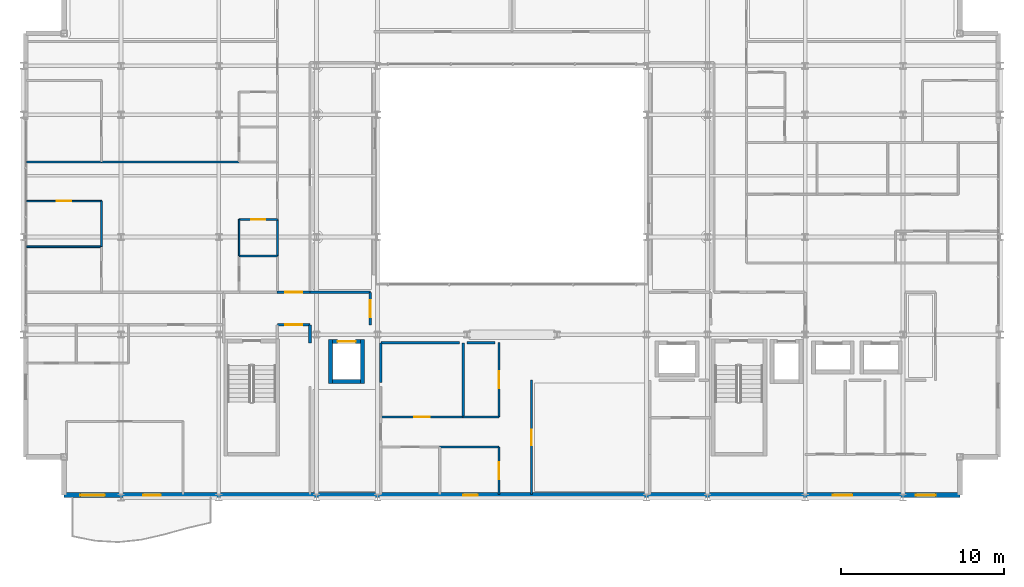
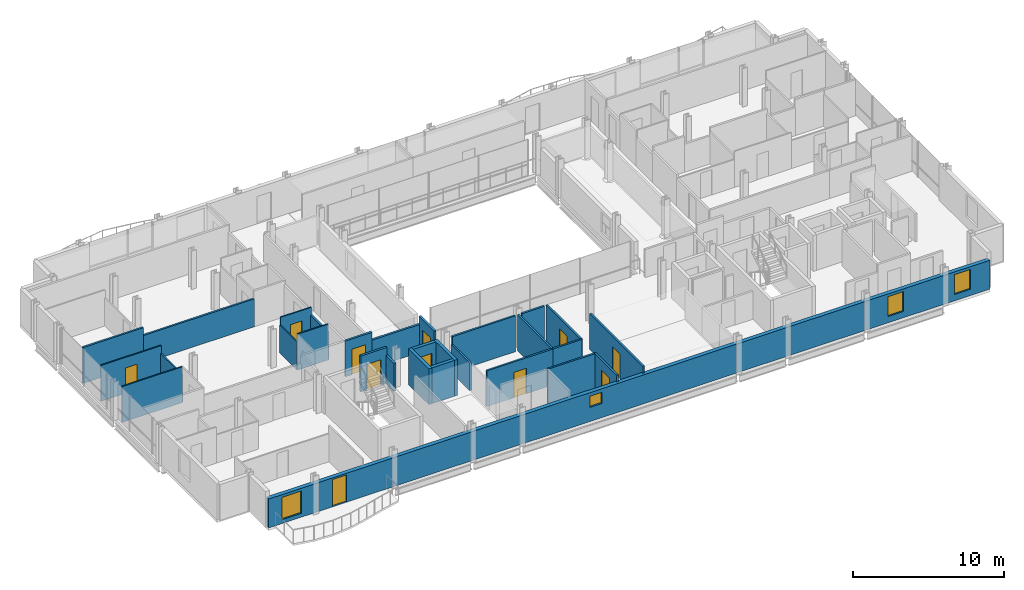
# One storey, part 34 of 41: 29 walls, 11 doors, 4 windows, 15 openings.
"""IFC4 building model written with IfcOpenShell, lengths in metres."""

from ifc_helpers import new_model, si_unit, direction, frame, frame_2d, origin, place, context, subcontext, project, spatial, rectangle, extrude, material, layer, layer_set, type_object, element, fill, save


model = new_model("IFC4")

# Units and contexts
model_context = context("Model", 3, precision=1e-05, world=origin(), true_north=direction((0.0, 1.0)))
body_context = subcontext(model_context, "Body", "Model", "MODEL_VIEW")
ifc_project = project(units=[si_unit("LENGTHUNIT", "METRE"), si_unit("AREAUNIT", "SQUARE_METRE"), si_unit("VOLUMEUNIT", "CUBIC_METRE"), si_unit("PLANEANGLEUNIT", "RADIAN"), si_unit("MASSUNIT", "GRAM", prefix="KILO")], contexts=[model_context])

# Site, building, storey
site_placement = place(None, origin())
site = spatial("IfcSite", under=ifc_project, at=site_placement, CompositionType="ELEMENT")
building_placement = place(site_placement, origin())
building = spatial("IfcBuilding", under=site, at=building_placement, Name="Brevholm Reach", CompositionType="ELEMENT")
storey_placement = place(building_placement, frame((0.0, 0.0, 169.699951171875)))
storey = spatial("IfcBuildingStorey", under=building, at=storey_placement, Name="L51", CompositionType="ELEMENT", Elevation=169.699951171875)

# Walls
ifc_material_1 = material(Name="Concrete C45/55", Category="concrete")
ifc_layer_1 = layer(ifc_material_1, 0.239990234375)
ifc_layer_set_1 = layer_set([ifc_layer_1], Name="Concrete C45/55")
wall_type_1 = type_object("IfcWallType", Name="WAL-COR-240", PredefinedType="SHEAR", material=ifc_layer_set_1)
for number, where, z_axis, x_axis, name in (
    (1, (18.8701171875, 7.0, 0.0), (0.0, 0.0, 1.0), (0.0, 1.0, 0.0), "L51 Lift FFL-1 Shaft Wall W"),
    (2, (20.830078125, 7.0, 0.0), (0.0, 0.0, 1.0), (0.0, 1.0, 0.0), "L51 Lift FFL-1 Shaft Wall E"),
):
    element("IfcWall", number, at=place(storey_placement, frame(where, z_axis=z_axis, x_axis=x_axis)), inside=storey, type_object=wall_type_1, Name=name, PredefinedType="SHEAR", context=body_context, shape_type="SweptSolid", body=[
        extrude(rectangle(XDim=2.699951171875, YDim=0.239990234375, at=frame_2d((1.35009765625, 0.0))), origin(), (0.0, 0.0, 1.0), 2.89013671875),
    ])
wall_1_placement = place(storey_placement, frame((18.989990234375, 7.1201171875, 0.0), z_axis=(0.0, 0.0, 1.0), x_axis=(1.0, 0.0, 0.0)))
element("IfcWall", 3, at=wall_1_placement, inside=storey, type_object=wall_type_1, Name="L51 Lift FFL-1 Shaft Wall S", PredefinedType="SHEAR", context=body_context, shape_type="SweptSolid", body=[
    extrude(rectangle(XDim=1.719970703125, YDim=0.239990234375, at=frame_2d((0.85986328125, 0.0))), origin(), (0.0, 0.0, 1.0), 2.89013671875),
])

# Wall, opening, door
wall_2_placement = place(storey_placement, frame((18.989990234375, 9.580078125, 0.0), z_axis=(0.0, 0.0, 1.0), x_axis=(1.0, 0.0, 0.0)))
wall_2 = element("IfcWall", 4, at=wall_2_placement, inside=storey, type_object=wall_type_1, Name="L51 Lift FFL-1 Shaft Wall N", PredefinedType="SHEAR", context=body_context, shape_type="SweptSolid", body=[
    extrude(rectangle(XDim=1.719970703125, YDim=0.239990234375, at=frame_2d((0.85986328125, 0.0))), origin(), (0.0, 0.0, 1.0), 2.89013671875),
])
opening_1_placement = place(wall_2_placement, frame((0.31005859375, 0.0, 0.0)))
opening_1 = element("IfcOpeningElement", 5, at=opening_1_placement, cuts=wall_2, Name="Opening LD-FFL-1", PredefinedType="OPENING", context=body_context, shape_type="SweptSolid", body=[
    extrude(rectangle(XDim=1.10009765625, YDim=2.06005859375, at=frame_2d((0.550048828125, 1.030029296875))), frame((0.0, 0.1298828125, 0.0), z_axis=(0.0, -1.0, 0.0), x_axis=(1.0, 0.0, 0.0)), (0.0, 0.0, 1.0), 0.260009765625),
])
ifc_material_2 = material(Name="Brushed Stainless Steel Fire-Rated Sliding Lift Door", Category="steel")
door_type_1 = type_object("IfcDoorType", Name="DOR-LFT-1100", OperationType="NOTDEFINED", PredefinedType="DOOR", material=ifc_material_2)
door_1_placement = place(opening_1_placement, origin())
door_1 = element("IfcDoor", 6, at=door_1_placement, inside=storey, type_object=door_type_1, Name="L51 Lift FFL-1 Sliding Landing Door", OperationType="SLIDING_TO_LEFT", OverallHeight=2.06005859375, OverallWidth=1.10009765625, PredefinedType="DOOR", context=body_context, shape_type="SweptSolid", body=[
    extrude(rectangle(XDim=1.10009765625, YDim=2.06005859375, at=frame_2d((0.550048828125, 1.030029296875))), frame((0.0, 0.02490234375, 0.0), z_axis=(0.0, -1.0, 0.0), x_axis=(1.0, 0.0, 0.0)), (0.0, 0.0, 1.0), 0.050048828125),
])
fill(opening_1, door_1)

# Wall, openings, door, windows
ifc_material_3 = material(Name="Concrete C40/50", Category="concrete")
ifc_layer_2 = layer(ifc_material_3, 0.300048828125)
ifc_layer_set_2 = layer_set([ifc_layer_2], Name="Concrete C40/50")
wall_type_2 = type_object("IfcWallType", Name="WAL-EXT-300", PredefinedType="STANDARD", material=ifc_layer_set_2)
wall_3_placement = place(storey_placement, frame((2.5, 0.14990234375, 0.0), z_axis=(0.0, 0.0, 1.0), x_axis=(1.0, 0.0, 0.0)))
wall_3 = element("IfcWall", 7, at=wall_3_placement, inside=storey, type_object=wall_type_2, Name="L51 Facade Wall WAL-L51-S", PredefinedType="STANDARD", context=body_context, shape_type="SweptSolid", body=[
    extrude(rectangle(XDim=55.0, YDim=0.300048828125, at=frame_2d((27.5, 0.0))), origin(), (0.0, 0.0, 1.0), 2.33203125),
])
opening_2_placement = place(wall_3_placement, frame((4.85009765625, 0.0, 0.0)))
opening_2 = element("IfcOpeningElement", 8, at=opening_2_placement, cuts=wall_3, Name="Opening BD-01", PredefinedType="OPENING", context=body_context, shape_type="SweptSolid", body=[
    extrude(rectangle(XDim=1.10009765625, YDim=2.199951171875, at=frame_2d((0.550048828125, 1.10009765625))), frame((0.0, 0.159912109375, 0.0), z_axis=(0.0, -1.0, 0.0), x_axis=(1.0, 0.0, 0.0)), (0.0, 0.0, 1.0), 0.320068359375),
])
opening_3_placement = place(wall_3_placement, frame((1.0, 0.0, 0.31201171875)))
opening_3 = element("IfcOpeningElement", 9, at=opening_3_placement, cuts=wall_3, Name="Opening WN-05", PredefinedType="OPENING", context=body_context, shape_type="SweptSolid", body=[
    extrude(rectangle(XDim=1.5, YDim=1.800048828125, at=frame_2d((0.75, 0.89990234375))), frame((0.0, 0.159912109375, 0.0), z_axis=(0.0, -1.0, 0.0), x_axis=(1.0, 0.0, 0.0)), (0.0, 0.0, 1.0), 0.320068359375),
])
opening_4_placement = place(wall_3_placement, frame((24.5, 0.0, 1.14990234375)))
opening_4 = element("IfcOpeningElement", 10, at=opening_4_placement, cuts=wall_3, Name="Opening WN-09", PredefinedType="OPENING", context=body_context, shape_type="SweptSolid", body=[
    extrude(rectangle(XDim=0.89990234375, YDim=0.89990234375, at=frame_2d((0.449951171875, 0.449951171875))), frame((0.0, 0.159912109375, 0.0), z_axis=(0.0, -1.0, 0.0), x_axis=(1.0, 0.0, 0.0)), (0.0, 0.0, 1.0), 0.320068359375),
])
opening_5_placement = place(wall_3_placement, frame((47.199951171875, 0.0, 0.511962890625)))
opening_5 = element("IfcOpeningElement", 11, at=opening_5_placement, cuts=wall_3, Name="Opening WN-08", PredefinedType="OPENING", context=body_context, shape_type="SweptSolid", body=[
    extrude(rectangle(XDim=1.199951171875, YDim=1.60009765625, at=frame_2d((0.60009765625, 0.800048828125))), frame((0.0, 0.159912109375, 0.0), z_axis=(0.0, -1.0, 0.0), x_axis=(1.0, 0.0, 0.0)), (0.0, 0.0, 1.0), 0.320068359375),
])
opening_6_placement = place(wall_3_placement, frame((52.300048828125, 0.0, 0.511962890625)))
opening_6 = element("IfcOpeningElement", 12, at=opening_6_placement, cuts=wall_3, Name="Opening WN-08", PredefinedType="OPENING", context=body_context, shape_type="SweptSolid", body=[
    extrude(rectangle(XDim=1.199951171875, YDim=1.60009765625, at=frame_2d((0.60009765625, 0.800048828125))), frame((0.0, 0.159912109375, 0.0), z_axis=(0.0, -1.0, 0.0), x_axis=(1.0, 0.0, 0.0)), (0.0, 0.0, 1.0), 0.320068359375),
])
ifc_material_4 = material(Name="Dark Anodised Aluminium and Triple-Glazed Glass", Category="aluminium")
door_type_2 = type_object("IfcDoorType", Name="DOR-BALC-1100", OperationType="NOTDEFINED", PredefinedType="DOOR", material=ifc_material_4)
door_2_placement = place(opening_2_placement, origin())
door_2 = element("IfcDoor", 13, at=door_2_placement, inside=storey, type_object=door_type_2, Name="L51 Exterior Door DOR-L51-BL-SW", OperationType="SINGLE_SWING_RIGHT", OverallHeight=2.199951171875, OverallWidth=1.10009765625, PredefinedType="DOOR", context=body_context, shape_type="SweptSolid", body=[
    extrude(rectangle(XDim=1.10009765625, YDim=2.199951171875, at=frame_2d((0.550048828125, 1.10009765625))), frame((0.0, 0.02490234375, 0.0), z_axis=(0.0, -1.0, 0.0), x_axis=(1.0, 0.0, 0.0)), (0.0, 0.0, 1.0), 0.050048828125),
])
fill(opening_2, door_2)
ifc_material_5 = material(Name="Dark Anodised Aluminium and Solar-Control IGU Glass", Category="aluminium")
window_type_1 = type_object("IfcWindowType", Name="WIN-POR-0900", PartitioningType="SINGLE_PANEL", PredefinedType="WINDOW", material=ifc_material_5)
window_1_placement = place(opening_4_placement, origin())
window_1 = element("IfcWindow", 14, at=window_1_placement, inside=storey, type_object=window_type_1, Name="L51 Window WIN-L51-S-POR", OverallHeight=0.89990234375, OverallWidth=0.89990234375, PartitioningType="SINGLE_PANEL", PredefinedType="WINDOW", context=body_context, shape_type="SweptSolid", body=[
    extrude(rectangle(XDim=0.89990234375, YDim=0.89990234375, at=frame_2d((0.449951171875, 0.449951171875))), frame((0.0, 0.030029296875, 0.0), z_axis=(0.0, -1.0, 0.0), x_axis=(1.0, 0.0, 0.0)), (0.0, 0.0, 1.0), 0.06005859375),
])
fill(opening_4, window_1)
ifc_material_6 = material(Name="Dark Anodised Aluminium and Solar-Control IGU Glass", Category="aluminium")
window_type_2 = type_object("IfcWindowType", Name="WIN-RES-1200", PartitioningType="SINGLE_PANEL", PredefinedType="WINDOW", material=ifc_material_6)
window_2_placement = place(opening_5_placement, origin())
window_2 = element("IfcWindow", 15, at=window_2_placement, inside=storey, type_object=window_type_2, Name="L51 Window WIN-L51-S-E1", OverallHeight=1.60009765625, OverallWidth=1.199951171875, PartitioningType="SINGLE_PANEL", PredefinedType="WINDOW", context=body_context, shape_type="SweptSolid", body=[
    extrude(rectangle(XDim=1.199951171875, YDim=1.60009765625, at=frame_2d((0.60009765625, 0.800048828125))), frame((0.0, 0.030029296875, 0.0), z_axis=(0.0, -1.0, 0.0), x_axis=(1.0, 0.0, 0.0)), (0.0, 0.0, 1.0), 0.06005859375),
])
fill(opening_5, window_2)
window_3_placement = place(opening_6_placement, origin())
window_3 = element("IfcWindow", 16, at=window_3_placement, inside=storey, type_object=window_type_2, Name="L51 Window WIN-L51-S-E2", OverallHeight=1.60009765625, OverallWidth=1.199951171875, PartitioningType="SINGLE_PANEL", PredefinedType="WINDOW", context=body_context, shape_type="SweptSolid", body=[
    extrude(rectangle(XDim=1.199951171875, YDim=1.60009765625, at=frame_2d((0.60009765625, 0.800048828125))), frame((0.0, 0.030029296875, 0.0), z_axis=(0.0, -1.0, 0.0), x_axis=(1.0, 0.0, 0.0)), (0.0, 0.0, 1.0), 0.06005859375),
])
fill(opening_6, window_3)
ifc_material_7 = material(Name="Dark Anodised Aluminium and Solar-Control IGU Glass", Category="aluminium")
window_type_3 = type_object("IfcWindowType", Name="WIN-RES-1500", PartitioningType="SINGLE_PANEL", PredefinedType="WINDOW", material=ifc_material_7)
window_4_placement = place(opening_3_placement, origin())
window_4 = element("IfcWindow", 17, at=window_4_placement, inside=storey, type_object=window_type_3, Name="L51 Window WIN-L51-S-W1", OverallHeight=1.800048828125, OverallWidth=1.5, PartitioningType="SINGLE_PANEL", PredefinedType="WINDOW", context=body_context, shape_type="SweptSolid", body=[
    extrude(rectangle(XDim=1.5, YDim=1.800048828125, at=frame_2d((0.75, 0.89990234375))), frame((0.0, 0.030029296875, 0.0), z_axis=(0.0, -1.0, 0.0), x_axis=(1.0, 0.0, 0.0)), (0.0, 0.0, 1.0), 0.06005859375),
])
fill(opening_3, window_4)

# Wall
ifc_material_8 = material(Name="Moisture-Resistant Acoustic Gypsum Stud Partition 100 mm", Category="gypsum")
ifc_layer_3 = layer(ifc_material_8, 0.10009765625)
ifc_layer_set_3 = layer_set([ifc_layer_3], Name="Moisture-Resistant Acoustic Gypsum Stud Partition 100 mm")
wall_type_3 = type_object("IfcWallType", Name="WAL-PRT-100", PredefinedType="PARTITIONING", material=ifc_layer_set_3)
wall_4_placement = place(storey_placement, frame((13.25, 14.83203125, 0.0), z_axis=(0.0, 0.0, 1.0), x_axis=(1.0, 0.0, 0.0)))
element("IfcWall", 18, at=wall_4_placement, inside=storey, type_object=wall_type_3, Name="L51 Internal Partition 076", PredefinedType="PARTITIONING", context=body_context, shape_type="SweptSolid", body=[
    extrude(rectangle(XDim=2.345947265625, YDim=0.10009765625, at=frame_2d((1.1728515625, 0.0))), origin(), (0.0, 0.0, 1.0), 2.89013671875),
])

# Wall, opening, door
wall_5_placement = place(storey_placement, frame((13.25, 17.072021484375, 0.0), z_axis=(0.0, 0.0, 1.0), x_axis=(1.0, 0.0, 0.0)))
wall_5 = element("IfcWall", 19, at=wall_5_placement, inside=storey, type_object=wall_type_3, Name="L51 Internal Partition 078", PredefinedType="PARTITIONING", context=body_context, shape_type="SweptSolid", body=[
    extrude(rectangle(XDim=2.345947265625, YDim=0.10009765625, at=frame_2d((1.1728515625, 0.0))), origin(), (0.0, 0.0, 1.0), 2.89013671875),
])
opening_7_placement = place(wall_5_placement, frame((0.73291015625, 0.0, 0.0)))
opening_7 = element("IfcOpeningElement", 20, at=opening_7_placement, cuts=wall_5, Name="Opening ID-01", PredefinedType="OPENING", context=body_context, shape_type="SweptSolid", body=[
    extrude(rectangle(XDim=0.8798828125, YDim=2.0400390625, at=frame_2d((0.43994140625, 1.02001953125))), frame((0.0, 0.06005859375, 0.0), z_axis=(0.0, -1.0, 0.0), x_axis=(1.0, 0.0, 0.0)), (0.0, 0.0, 1.0), 0.1201171875),
])
ifc_material_9 = material(Name="Lacquered Ash Solid-Core Acoustic Internal Door", Category="timber")
door_type_3 = type_object("IfcDoorType", Name="DOR-INT-880", OperationType="NOTDEFINED", PredefinedType="DOOR", material=ifc_material_9)
door_3_placement = place(opening_7_placement, origin())
door_3 = element("IfcDoor", 21, at=door_3_placement, inside=storey, type_object=door_type_3, Name="L51 Internal Door 035", OperationType="SINGLE_SWING_RIGHT", OverallHeight=2.0400390625, OverallWidth=0.8798828125, PredefinedType="DOOR", context=body_context, shape_type="SweptSolid", body=[
    extrude(rectangle(XDim=0.8798828125, YDim=2.0400390625, at=frame_2d((0.43994140625, 1.02001953125))), frame((0.0, 0.02490234375, 0.0), z_axis=(0.0, -1.0, 0.0), x_axis=(1.0, 0.0, 0.0)), (0.0, 0.0, 1.0), 0.050048828125),
])
fill(opening_7, door_3)

# Walls
wall_6_placement = place(storey_placement, frame((13.25, 14.8359375, 0.0), z_axis=(0.0, 0.0, 1.0), x_axis=(0.0, 1.0, 0.0)))
element("IfcWall", 22, at=wall_6_placement, inside=storey, type_object=wall_type_3, Name="L51 Internal Partition 079", PredefinedType="PARTITIONING", context=body_context, shape_type="SweptSolid", body=[
    extrude(rectangle(XDim=2.236083984375, YDim=0.10009765625, at=frame_2d((1.1181640625, 0.0))), origin(), (0.0, 0.0, 1.0), 2.2529296875),
])
wall_7_placement = place(storey_placement, frame((0.199951171875, 15.39990234375, 0.0), z_axis=(0.0, 0.0, 1.0), x_axis=(1.0, 0.0, 0.0)))
element("IfcWall", 23, at=wall_7_placement, inside=storey, type_object=wall_type_3, Name="L51 Internal Partition 080", PredefinedType="PARTITIONING", context=body_context, shape_type="SweptSolid", body=[
    extrude(rectangle(XDim=4.60009765625, YDim=0.10009765625, at=frame_2d((2.300048828125, 0.0))), origin(), (0.0, 0.0, 1.0), 2.89013671875),
])
wall_8_placement = place(storey_placement, frame((4.800048828125, 15.404052734375, 0.0), z_axis=(0.0, 0.0, 1.0), x_axis=(0.0, 1.0, 0.0)))
element("IfcWall", 24, at=wall_8_placement, inside=storey, type_object=wall_type_3, Name="L51 Internal Partition 082", PredefinedType="PARTITIONING", context=body_context, shape_type="SweptSolid", body=[
    extrude(rectangle(XDim=2.7958984375, YDim=0.10009765625, at=frame_2d((1.39794921875, 0.0))), origin(), (0.0, 0.0, 1.0), 2.2529296875),
])

# Wall, opening, door
wall_9_placement = place(storey_placement, frame((0.199951171875, 18.199951171875, 0.0), z_axis=(0.0, 0.0, 1.0), x_axis=(1.0, 0.0, 0.0)))
wall_9 = element("IfcWall", 25, at=wall_9_placement, inside=storey, type_object=wall_type_3, Name="L51 Internal Partition 083", PredefinedType="PARTITIONING", context=body_context, shape_type="SweptSolid", body=[
    extrude(rectangle(XDim=4.60009765625, YDim=0.10009765625, at=frame_2d((2.300048828125, 0.0))), origin(), (0.0, 0.0, 1.0), 2.89013671875),
])
opening_8_placement = place(wall_9_placement, frame((1.860107421875, 0.0, 0.0)))
opening_8 = element("IfcOpeningElement", 26, at=opening_8_placement, cuts=wall_9, Name="Opening ID-01", PredefinedType="OPENING", context=body_context, shape_type="SweptSolid", body=[
    extrude(rectangle(XDim=0.8798828125, YDim=2.0400390625, at=frame_2d((0.43994140625, 1.02001953125))), frame((0.0, 0.06005859375, 0.0), z_axis=(0.0, -1.0, 0.0), x_axis=(1.0, 0.0, 0.0)), (0.0, 0.0, 1.0), 0.1201171875),
])
door_4_placement = place(opening_8_placement, origin())
door_4 = element("IfcDoor", 27, at=door_4_placement, inside=storey, type_object=door_type_3, Name="L51 Internal Door 037", OperationType="SINGLE_SWING_RIGHT", OverallHeight=2.0400390625, OverallWidth=0.8798828125, PredefinedType="DOOR", context=body_context, shape_type="SweptSolid", body=[
    extrude(rectangle(XDim=0.8798828125, YDim=2.0400390625, at=frame_2d((0.43994140625, 1.02001953125))), frame((0.0, 0.02490234375, 0.0), z_axis=(0.0, -1.0, 0.0), x_axis=(1.0, 0.0, 0.0)), (0.0, 0.0, 1.0), 0.050048828125),
])
fill(opening_8, door_4)

ifc_material_10 = material(Name="Twin-Stud Acoustic Fire-Rated Gypsum Partition 140 mm", Category="gypsum")
ifc_layer_4 = layer(ifc_material_10, 0.139892578125)
ifc_layer_set_4 = layer_set([ifc_layer_4], Name="Twin-Stud Acoustic Fire-Rated Gypsum Partition 140 mm")
wall_type_4 = type_object("IfcWallType", Name="WAL-PRT-140", PredefinedType="PARTITIONING", material=ifc_layer_set_4)
wall_10_placement = place(storey_placement, frame((29.199951171875, 0.179931640625, 0.0), z_axis=(0.0, 0.0, 1.0), x_axis=(0.0, 1.0, 0.0)))
wall_10 = element("IfcWall", 28, at=wall_10_placement, inside=storey, type_object=wall_type_4, Name="L51 Internal Partition 001", PredefinedType="PARTITIONING", context=body_context, shape_type="SweptSolid", body=[
    extrude(rectangle(XDim=2.927490234375, YDim=0.139892578125, at=frame_2d((1.4638671875, 0.0))), origin(), (0.0, 0.0, 1.0), 2.89013671875),
])
opening_9_placement = place(wall_10_placement, frame((0.938720703125, 0.0, 0.0)))
opening_9 = element("IfcOpeningElement", 29, at=opening_9_placement, cuts=wall_10, Name="Opening FD-01", PredefinedType="OPENING", context=body_context, shape_type="SweptSolid", body=[
    extrude(rectangle(XDim=1.050048828125, YDim=2.06005859375, at=frame_2d((0.52490234375, 1.030029296875))), frame((0.0, 0.079833984375, 0.0), z_axis=(0.0, -1.0, 0.0), x_axis=(1.0, 0.0, 0.0)), (0.0, 0.0, 1.0), 0.159912109375),
])
ifc_material_11 = material(Name="Hardwood-Lipped Steel-Core Fire and Smoke Door", Category="steel")
door_type_4 = type_object("IfcDoorType", Name="DOR-INT-FD60S", OperationType="NOTDEFINED", PredefinedType="DOOR", material=ifc_material_11)
door_5_placement = place(opening_9_placement, origin())
door_5 = element("IfcDoor", 30, at=door_5_placement, inside=storey, type_object=door_type_4, Name="L51 Internal Door 001", OperationType="SINGLE_SWING_RIGHT", OverallHeight=2.06005859375, OverallWidth=1.050048828125, PredefinedType="DOOR", context=body_context, shape_type="SweptSolid", body=[
    extrude(rectangle(XDim=1.050048828125, YDim=2.06005859375, at=frame_2d((0.52490234375, 1.030029296875))), frame((0.0, 0.02490234375, 0.0), z_axis=(0.0, -1.0, 0.0), x_axis=(1.0, 0.0, 0.0)), (0.0, 0.0, 1.0), 0.050048828125),
])
fill(opening_9, door_5)

wall_11_placement = place(storey_placement, frame((29.199951171875, 4.942626953125, 0.0), z_axis=(0.0, 0.0, 1.0), x_axis=(0.0, 1.0, 0.0)))
wall_11 = element("IfcWall", 31, at=wall_11_placement, inside=storey, type_object=wall_type_4, Name="L51 Internal Partition 002", PredefinedType="PARTITIONING", context=body_context, shape_type="SweptSolid", body=[
    extrude(rectangle(XDim=4.568603515625, YDim=0.139892578125, at=frame_2d((2.2841796875, 0.0))), origin(), (0.0, 0.0, 1.0), 2.89013671875),
])
opening_10_placement = place(wall_11_placement, frame((1.75927734375, 0.0, 0.0)))
opening_10 = element("IfcOpeningElement", 32, at=opening_10_placement, cuts=wall_11, Name="Opening FD-01", PredefinedType="OPENING", context=body_context, shape_type="SweptSolid", body=[
    extrude(rectangle(XDim=1.050048828125, YDim=2.06005859375, at=frame_2d((0.52490234375, 1.030029296875))), frame((0.0, 0.079833984375, 0.0), z_axis=(0.0, -1.0, 0.0), x_axis=(1.0, 0.0, 0.0)), (0.0, 0.0, 1.0), 0.159912109375),
])
door_6_placement = place(opening_10_placement, origin())
door_6 = element("IfcDoor", 33, at=door_6_placement, inside=storey, type_object=door_type_4, Name="L51 Internal Door 002", OperationType="SINGLE_SWING_LEFT", OverallHeight=2.06005859375, OverallWidth=1.050048828125, PredefinedType="DOOR", context=body_context, shape_type="SweptSolid", body=[
    extrude(rectangle(XDim=1.050048828125, YDim=2.06005859375, at=frame_2d((0.52490234375, 1.030029296875))), frame((0.0, 0.02490234375, 0.0), z_axis=(0.0, -1.0, 0.0), x_axis=(1.0, 0.0, 0.0)), (0.0, 0.0, 1.0), 0.050048828125),
])
fill(opening_10, door_6)

wall_12_placement = place(storey_placement, frame((31.199951171875, 0.179931640625, 0.0), z_axis=(0.0, 0.0, 1.0), x_axis=(0.0, 1.0, 0.0)))
wall_12 = element("IfcWall", 34, at=wall_12_placement, inside=storey, type_object=wall_type_4, Name="L51 Internal Partition 003", PredefinedType="PARTITIONING", context=body_context, shape_type="SweptSolid", body=[
    extrude(rectangle(XDim=7.03125, YDim=0.139892578125, at=frame_2d((3.515625, 0.0))), origin(), (0.0, 0.0, 1.0), 2.89013671875),
])
opening_11_placement = place(wall_12_placement, frame((3.04052734375, 0.0, 0.0)))
opening_11 = element("IfcOpeningElement", 35, at=opening_11_placement, cuts=wall_12, Name="Opening ID-30", PredefinedType="OPENING", context=body_context, shape_type="SweptSolid", body=[
    extrude(rectangle(XDim=0.949951171875, YDim=2.050048828125, at=frame_2d((0.47509765625, 1.02490234375))), frame((0.0, 0.079833984375, 0.0), z_axis=(0.0, -1.0, 0.0), x_axis=(1.0, 0.0, 0.0)), (0.0, 0.0, 1.0), 0.159912109375),
])
ifc_material_12 = material(Name="European Oak Veneered Solid-Core Fire Entrance Door", Category="timber")
door_type_5 = type_object("IfcDoorType", Name="DOR-FLT-FD30S", OperationType="NOTDEFINED", PredefinedType="DOOR", material=ifc_material_12)
door_7_placement = place(opening_11_placement, origin())
door_7 = element("IfcDoor", 36, at=door_7_placement, inside=storey, type_object=door_type_5, Name="L51 Internal Door 003", OperationType="SINGLE_SWING_RIGHT", OverallHeight=2.050048828125, OverallWidth=0.949951171875, PredefinedType="DOOR", context=body_context, shape_type="SweptSolid", body=[
    extrude(rectangle(XDim=0.949951171875, YDim=2.050048828125, at=frame_2d((0.47509765625, 1.02490234375))), frame((0.0, 0.02490234375, 0.0), z_axis=(0.0, -1.0, 0.0), x_axis=(1.0, 0.0, 0.0)), (0.0, 0.0, 1.0), 0.050048828125),
])
fill(opening_11, door_7)

# Wall
wall_13_placement = place(storey_placement, frame((25.552734375, 3.10009765625, 0.0), z_axis=(0.0, 0.0, 1.0), x_axis=(1.0, 0.0, 0.0)))
element("IfcWall", 37, at=wall_13_placement, inside=storey, type_object=wall_type_4, Name="L51 Internal Partition 005", PredefinedType="PARTITIONING", context=body_context, shape_type="SweptSolid", body=[
    extrude(rectangle(XDim=3.643310546875, YDim=0.139892578125, at=frame_2d((1.82177734375, 0.0))), origin(), (0.0, 0.0, 1.0), 2.89013671875),
])

# Wall, opening, door
wall_14_placement = place(storey_placement, frame((21.949951171875, 4.949951171875, 0.0), z_axis=(0.0, 0.0, 1.0), x_axis=(1.0, 0.0, 0.0)))
wall_14 = element("IfcWall", 38, at=wall_14_placement, inside=storey, type_object=wall_type_4, Name="L51 Internal Partition 006", PredefinedType="PARTITIONING", context=body_context, shape_type="SweptSolid", body=[
    extrude(rectangle(XDim=5.0712890625, YDim=0.139892578125, at=frame_2d((2.53564453125, 0.0))), origin(), (0.0, 0.0, 1.0), 2.89013671875),
])
opening_12_placement = place(wall_14_placement, frame((2.060791015625, 0.0, 0.0)))
opening_12 = element("IfcOpeningElement", 39, at=opening_12_placement, cuts=wall_14, Name="Opening ID-30", PredefinedType="OPENING", context=body_context, shape_type="SweptSolid", body=[
    extrude(rectangle(XDim=0.949951171875, YDim=2.050048828125, at=frame_2d((0.47509765625, 1.02490234375))), frame((0.0, 0.079833984375, 0.0), z_axis=(0.0, -1.0, 0.0), x_axis=(1.0, 0.0, 0.0)), (0.0, 0.0, 1.0), 0.159912109375),
])
door_8_placement = place(opening_12_placement, origin())
door_8 = element("IfcDoor", 40, at=door_8_placement, inside=storey, type_object=door_type_5, Name="L51 Internal Door 005", OperationType="SINGLE_SWING_RIGHT", OverallHeight=2.050048828125, OverallWidth=0.949951171875, PredefinedType="DOOR", context=body_context, shape_type="SweptSolid", body=[
    extrude(rectangle(XDim=0.949951171875, YDim=2.050048828125, at=frame_2d((0.47509765625, 1.02490234375))), frame((0.0, 0.02490234375, 0.0), z_axis=(0.0, -1.0, 0.0), x_axis=(1.0, 0.0, 0.0)), (0.0, 0.0, 1.0), 0.050048828125),
])
fill(opening_12, door_8)

# Walls
wall_15_placement = place(storey_placement, frame((27.002685546875, 4.949951171875, 0.0), z_axis=(0.0, 0.0, 1.0), x_axis=(1.0, 0.0, 0.0)))
element("IfcWall", 41, at=wall_15_placement, inside=storey, type_object=wall_type_4, Name="L51 Internal Partition 007", PredefinedType="PARTITIONING", context=body_context, shape_type="SweptSolid", body=[
    extrude(rectangle(XDim=2.193359375, YDim=0.139892578125, at=frame_2d((1.0966796875, 0.0))), origin(), (0.0, 0.0, 1.0), 2.89013671875),
])
wall_16_placement = place(storey_placement, frame((27.010009765625, 4.9541015625, 0.0), z_axis=(0.0, 0.0, 1.0), x_axis=(0.0, 1.0, 0.0)))
element("IfcWall", 42, at=wall_16_placement, inside=storey, type_object=wall_type_4, Name="L51 Internal Partition 011", PredefinedType="PARTITIONING", context=body_context, shape_type="SweptSolid", body=[
    extrude(rectangle(XDim=4.5458984375, YDim=0.139892578125, at=frame_2d((2.27294921875, 0.0))), origin(), (0.0, 0.0, 1.0), 2.89013671875),
])
wall_17_placement = place(storey_placement, frame((15.60009765625, 14.82470703125, 0.0), z_axis=(0.0, 0.0, 1.0), x_axis=(0.0, 1.0, 0.0)))
element("IfcWall", 43, at=wall_17_placement, inside=storey, type_object=wall_type_4, Name="L51 Internal Partition 043", PredefinedType="PARTITIONING", context=body_context, shape_type="SweptSolid", body=[
    extrude(rectangle(XDim=2.258544921875, YDim=0.139892578125, at=frame_2d((1.12939453125, 0.0))), origin(), (0.0, 0.0, 1.0), 2.2529296875),
])
wall_18_placement = place(storey_placement, frame((0.199951171875, 20.60009765625, 0.0), z_axis=(0.0, 0.0, 1.0), x_axis=(1.0, 0.0, 0.0)))
element("IfcWall", 44, at=wall_18_placement, inside=storey, type_object=wall_type_4, Name="L51 Internal Partition 085", PredefinedType="PARTITIONING", context=body_context, shape_type="SweptSolid", body=[
    extrude(rectangle(XDim=4.611328125, YDim=0.139892578125, at=frame_2d((2.3056640625, 0.0))), origin(), (0.0, 0.0, 1.0), 2.89013671875),
])
wall_19_placement = place(storey_placement, frame((4.792724609375, 20.60009765625, 0.0), z_axis=(0.0, 0.0, 1.0), x_axis=(1.0, 0.0, 0.0)))
element("IfcWall", 45, at=wall_19_placement, inside=storey, type_object=wall_type_4, Name="L51 Internal Partition 086", PredefinedType="PARTITIONING", context=body_context, shape_type="SweptSolid", body=[
    extrude(rectangle(XDim=8.464599609375, YDim=0.139892578125, at=frame_2d((4.232421875, 0.0))), origin(), (0.0, 0.0, 1.0), 2.2529296875),
])
wall_20_placement = place(storey_placement, frame((21.949951171875, 9.5, 0.0), z_axis=(0.0, 0.0, 1.0), x_axis=(1.0, 0.0, 0.0)))
element("IfcWall", 46, at=wall_20_placement, inside=storey, type_object=wall_type_4, Name="L51 Internal Partition 118", PredefinedType="PARTITIONING", context=body_context, shape_type="SweptSolid", body=[
    extrude(rectangle(XDim=4.820068359375, YDim=0.139892578125, at=frame_2d((2.41015625, 0.0))), origin(), (0.0, 0.0, 1.0), 2.89013671875),
])
wall_21_placement = place(storey_placement, frame((21.949951171875, 7.05126953125, 0.0), z_axis=(0.0, 0.0, 1.0), x_axis=(0.0, 1.0, 0.0)))
element("IfcWall", 47, at=wall_21_placement, inside=storey, type_object=wall_type_4, Name="L51 Internal Partition 119", PredefinedType="PARTITIONING", context=body_context, shape_type="SweptSolid", body=[
    extrude(rectangle(XDim=2.44873046875, YDim=0.139892578125, at=frame_2d((1.224365234375, 0.0))), origin(), (0.0, 0.0, 1.0), 2.2529296875),
])
wall_22_placement = place(storey_placement, frame((27.25, 9.5, 0.0), z_axis=(0.0, 0.0, 1.0), x_axis=(1.0, 0.0, 0.0)))
element("IfcWall", 48, at=wall_22_placement, inside=storey, type_object=wall_type_4, Name="L51 Internal Partition 120", PredefinedType="PARTITIONING", context=body_context, shape_type="SweptSolid", body=[
    extrude(rectangle(XDim=1.7099609375, YDim=0.139892578125, at=frame_2d((0.85498046875, 0.0))), origin(), (0.0, 0.0, 1.0), 2.89013671875),
])
ifc_material_13 = material(Name="Twin-Frame Fire-Rated Gypsum Board and Mineral Wool 160 mm", Category="gypsum")
ifc_layer_5 = layer(ifc_material_13, 0.159912109375)
ifc_layer_set_5 = layer_set([ifc_layer_5], Name="Twin-Frame Fire-Rated Gypsum Board and Mineral Wool 160 mm")
wall_type_5 = type_object("IfcWallType", Name="WAL-PRT-160", PredefinedType="PARTITIONING", material=ifc_layer_set_5)
wall_23_placement = place(storey_placement, frame((17.60009765625, 9.48876953125, 0.0), z_axis=(0.0, 0.0, 1.0), x_axis=(0.0, 1.0, 0.0)))
element("IfcWall", 49, at=wall_23_placement, inside=storey, type_object=wall_type_5, Name="L51 Internal Partition 022", PredefinedType="PARTITIONING", context=body_context, shape_type="SweptSolid", body=[
    extrude(rectangle(XDim=1.111328125, YDim=0.159912109375, at=frame_2d((0.5556640625, 0.0))), origin(), (0.0, 0.0, 1.0), 2.2529296875),
])

# Wall, opening, door
wall_24_placement = place(storey_placement, frame((15.60009765625, 10.60009765625, 0.0), z_axis=(0.0, 0.0, 1.0), x_axis=(1.0, 0.0, 0.0)))
wall_24 = element("IfcWall", 50, at=wall_24_placement, inside=storey, type_object=wall_type_5, Name="L51 Internal Partition 023", PredefinedType="PARTITIONING", context=body_context, shape_type="SweptSolid", body=[
    extrude(rectangle(XDim=2.0, YDim=0.159912109375, at=frame_2d((1.0, 0.0))), origin(), (0.0, 0.0, 1.0), 2.89013671875),
])
opening_13_placement = place(wall_24_placement, frame((0.47509765625, 0.0, 0.0)))
opening_13 = element("IfcOpeningElement", 51, at=opening_13_placement, cuts=wall_24, Name="Opening FD-01", PredefinedType="OPENING", context=body_context, shape_type="SweptSolid", body=[
    extrude(rectangle(XDim=1.050048828125, YDim=2.06005859375, at=frame_2d((0.52490234375, 1.030029296875))), frame((0.0, 0.08984375, 0.0), z_axis=(0.0, -1.0, 0.0), x_axis=(1.0, 0.0, 0.0)), (0.0, 0.0, 1.0), 0.179931640625),
])
door_9_placement = place(opening_13_placement, origin())
door_9 = element("IfcDoor", 52, at=door_9_placement, inside=storey, type_object=door_type_4, Name="L51 Internal Door 011", OperationType="SINGLE_SWING_RIGHT", OverallHeight=2.06005859375, OverallWidth=1.050048828125, PredefinedType="DOOR", context=body_context, shape_type="SweptSolid", body=[
    extrude(rectangle(XDim=1.050048828125, YDim=2.06005859375, at=frame_2d((0.52490234375, 1.030029296875))), frame((0.0, 0.02490234375, 0.0), z_axis=(0.0, -1.0, 0.0), x_axis=(1.0, 0.0, 0.0)), (0.0, 0.0, 1.0), 0.050048828125),
])
fill(opening_13, door_9)

wall_25_placement = place(storey_placement, frame((21.300048828125, 10.588623046875, 0.0), z_axis=(0.0, 0.0, 1.0), x_axis=(0.0, 1.0, 0.0)))
wall_25 = element("IfcWall", 53, at=wall_25_placement, inside=storey, type_object=wall_type_5, Name="L51 Internal Partition 028", PredefinedType="PARTITIONING", context=body_context, shape_type="SweptSolid", body=[
    extrude(rectangle(XDim=2.011474609375, YDim=0.159912109375, at=frame_2d((1.005859375, 0.0))), origin(), (0.0, 0.0, 1.0), 2.89013671875),
])
opening_14_placement = place(wall_25_placement, frame((0.480712890625, 0.0, 0.0)))
opening_14 = element("IfcOpeningElement", 54, at=opening_14_placement, cuts=wall_25, Name="Opening FD-01", PredefinedType="OPENING", context=body_context, shape_type="SweptSolid", body=[
    extrude(rectangle(XDim=1.050048828125, YDim=2.06005859375, at=frame_2d((0.52490234375, 1.030029296875))), frame((0.0, 0.08984375, 0.0), z_axis=(0.0, -1.0, 0.0), x_axis=(1.0, 0.0, 0.0)), (0.0, 0.0, 1.0), 0.179931640625),
])
door_10_placement = place(opening_14_placement, origin())
door_10 = element("IfcDoor", 55, at=door_10_placement, inside=storey, type_object=door_type_4, Name="L51 Internal Door 013", OperationType="SINGLE_SWING_RIGHT", OverallHeight=2.06005859375, OverallWidth=1.050048828125, PredefinedType="DOOR", context=body_context, shape_type="SweptSolid", body=[
    extrude(rectangle(XDim=1.050048828125, YDim=2.06005859375, at=frame_2d((0.52490234375, 1.030029296875))), frame((0.0, 0.02490234375, 0.0), z_axis=(0.0, -1.0, 0.0), x_axis=(1.0, 0.0, 0.0)), (0.0, 0.0, 1.0), 0.050048828125),
])
fill(opening_14, door_10)

wall_26_placement = place(storey_placement, frame((15.588623046875, 12.60009765625, 0.0), z_axis=(0.0, 0.0, 1.0), x_axis=(1.0, 0.0, 0.0)))
wall_26 = element("IfcWall", 56, at=wall_26_placement, inside=storey, type_object=wall_type_5, Name="L51 Internal Partition 029", PredefinedType="PARTITIONING", context=body_context, shape_type="SweptSolid", body=[
    extrude(rectangle(XDim=2.022705078125, YDim=0.159912109375, at=frame_2d((1.01123046875, 0.0))), origin(), (0.0, 0.0, 1.0), 2.89013671875),
])
opening_15_placement = place(wall_26_placement, frame((0.486328125, 0.0, 0.0)))
opening_15 = element("IfcOpeningElement", 57, at=opening_15_placement, cuts=wall_26, Name="Opening FD-01", PredefinedType="OPENING", context=body_context, shape_type="SweptSolid", body=[
    extrude(rectangle(XDim=1.050048828125, YDim=2.06005859375, at=frame_2d((0.52490234375, 1.030029296875))), frame((0.0, 0.08984375, 0.0), z_axis=(0.0, -1.0, 0.0), x_axis=(1.0, 0.0, 0.0)), (0.0, 0.0, 1.0), 0.179931640625),
])
door_11_placement = place(opening_15_placement, origin())
door_11 = element("IfcDoor", 58, at=door_11_placement, inside=storey, type_object=door_type_4, Name="L51 Internal Door 014", OperationType="SINGLE_SWING_LEFT", OverallHeight=2.06005859375, OverallWidth=1.050048828125, PredefinedType="DOOR", context=body_context, shape_type="SweptSolid", body=[
    extrude(rectangle(XDim=1.050048828125, YDim=2.06005859375, at=frame_2d((0.52490234375, 1.030029296875))), frame((0.0, 0.02490234375, 0.0), z_axis=(0.0, -1.0, 0.0), x_axis=(1.0, 0.0, 0.0)), (0.0, 0.0, 1.0), 0.050048828125),
])
fill(opening_15, door_11)

# Wall
wall_27_placement = place(storey_placement, frame((17.5927734375, 12.60009765625, 0.0), z_axis=(0.0, 0.0, 1.0), x_axis=(1.0, 0.0, 0.0)))
element("IfcWall", 59, at=wall_27_placement, inside=storey, type_object=wall_type_5, Name="L51 Internal Partition 034", PredefinedType="PARTITIONING", context=body_context, shape_type="SweptSolid", body=[
    extrude(rectangle(XDim=3.707275390625, YDim=0.159912109375, at=frame_2d((1.853515625, 0.0))), origin(), (0.0, 0.0, 1.0), 2.2529296875),
])

save(model, "model.ifc")
